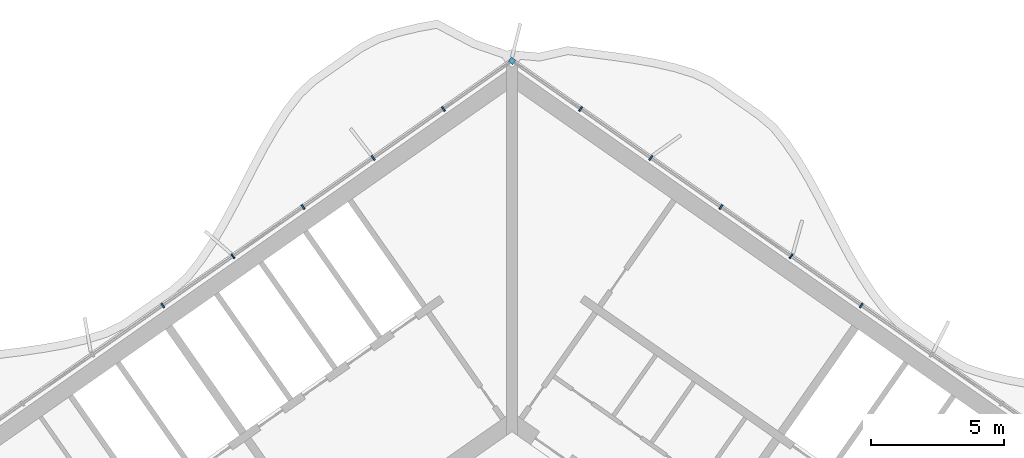
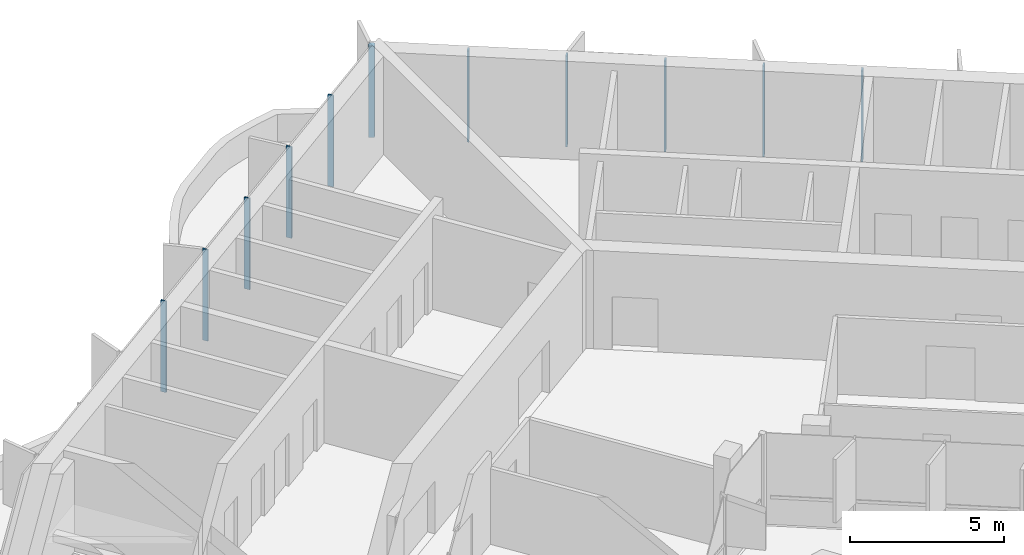
# One storey, part 7 of 20: 11 members, 1 element without a shape of its own.
"""IFC4 building model written with IfcOpenShell, lengths in metres."""

from ifc_helpers import new_model, si_unit, direction, frame, origin, origin_2d, place, context, subcontext, project, spatial, rectangle, extrude, material, material_profile, profile_set, type_object, element, aggregate, save


model = new_model("IFC4")

# Units and contexts
model_context = context("Model", 3, precision=1e-05, world=origin(), true_north=direction((0.0, 1.0)))
body_context = subcontext(model_context, "Body", "Model", "MODEL_VIEW")
ifc_project = project(units=[si_unit("LENGTHUNIT", "METRE"), si_unit("AREAUNIT", "SQUARE_METRE"), si_unit("VOLUMEUNIT", "CUBIC_METRE"), si_unit("PLANEANGLEUNIT", "RADIAN"), si_unit("MASSUNIT", "GRAM", prefix="KILO")], contexts=[model_context])

# Site, building, storey
site_placement = place(None, origin())
site = spatial("IfcSite", under=ifc_project, at=site_placement, CompositionType="ELEMENT")
building_placement = place(site_placement, origin())
building = spatial("IfcBuilding", under=site, at=building_placement, Name="Tel Ilan Convention Tower", CompositionType="ELEMENT")
storey_placement = place(building_placement, frame((0.0, 0.0, 237.10009765625)))
storey = spatial("IfcBuildingStorey", under=building, at=storey_placement, Name="L55", CompositionType="ELEMENT", Elevation=237.10009765625)

# Curtain wall, members
ifc_material_1 = material(Name="Aluminium, bronze anodised", Category="aluminium")
curtain_wall_type = type_object("IfcCurtainWallType", Name="CW2 STICK CURTAIN WALL, SPANDREL PANELS", PredefinedType="NOTDEFINED", material=ifc_material_1)
curtain_wall_placement = place(storey_placement, origin())
curtain_wall = element("IfcCurtainWall", 1, at=curtain_wall_placement, inside=storey, type_object=curtain_wall_type, Name="Curtain wall CW2-42.01", PredefinedType="NOTDEFINED")
ifc_material_2 = material(Name="Aluminium, bronze anodised", Category="aluminium")
ifc_material_profile_1 = material_profile(ifc_material_2, rectangle(XDim=0.199951171875, YDim=0.199951171875, at=origin_2d()), Name="CW CORNER MULLION 200x200")
ifc_profile_set_1 = profile_set([ifc_material_profile_1], Name="Aluminium, bronze anodised")
member_type_1 = type_object("IfcMemberType", Name="CW CORNER MULLION 200x200", PredefinedType="MULLION", material=ifc_profile_set_1)
member_1_placement = place(storey_placement, frame((0.0, 12.696044921875, 0.0), z_axis=(0.0, 0.0, 1.0), x_axis=(-0.819152044289, 0.573576436351, 0.0)))
member_1 = element("IfcMember", 2, at=member_1_placement, type_object=member_type_1, Name="Corner mullion", PredefinedType="MULLION", context=body_context, shape_type="SweptSolid", body=[
    extrude(rectangle(XDim=0.199951171875, YDim=0.199951171875, at=origin_2d()), origin(), (0.0, 0.0, 1.0), 3.619873046875),
])
ifc_material_3 = material(Name="Aluminium, bronze anodised", Category="aluminium")
ifc_material_profile_2 = material_profile(ifc_material_3, rectangle(XDim=0.06005859375, YDim=0.199951171875, at=origin_2d()), Name="CW MULLION 60x200")
ifc_profile_set_2 = profile_set([ifc_material_profile_2], Name="Aluminium, bronze anodised")
member_type_2 = type_object("IfcMemberType", Name="CW MULLION 60x200", PredefinedType="MULLION", material=ifc_profile_set_2)
member_2_placement = place(storey_placement, frame((13.105712890625, 3.519287109375, 0.0), z_axis=(0.0, 0.0, 1.0), x_axis=(-0.819152044289, 0.573576436351, 0.0)))
member_2 = element("IfcMember", 3, at=member_2_placement, type_object=member_type_2, Name="Mullion", PredefinedType="MULLION", context=body_context, shape_type="SweptSolid", body=[
    extrude(rectangle(XDim=0.06005859375, YDim=0.199951171875, at=origin_2d()), origin(), (0.0, 0.0, 1.0), 3.619873046875),
])
member_3_placement = place(storey_placement, frame((10.47314453125, 5.36279296875, 0.0), z_axis=(0.0, 0.0, 1.0), x_axis=(-0.819152044289, 0.573576436351, 0.0)))
member_3 = element("IfcMember", 4, at=member_3_placement, type_object=member_type_2, Name="Mullion", PredefinedType="MULLION", context=body_context, shape_type="SweptSolid", body=[
    extrude(rectangle(XDim=0.06005859375, YDim=0.199951171875, at=origin_2d()), origin(), (0.0, 0.0, 1.0), 3.619873046875),
])
member_4_placement = place(storey_placement, frame((7.840576171875, 7.2060546875, 0.0), z_axis=(0.0, 0.0, 1.0), x_axis=(-0.819152044289, 0.573576436351, 0.0)))
member_4 = element("IfcMember", 5, at=member_4_placement, type_object=member_type_2, Name="Mullion", PredefinedType="MULLION", context=body_context, shape_type="SweptSolid", body=[
    extrude(rectangle(XDim=0.06005859375, YDim=0.199951171875, at=origin_2d()), origin(), (0.0, 0.0, 1.0), 3.619873046875),
])
member_5_placement = place(storey_placement, frame((5.207763671875, 9.049560546875, 0.0), z_axis=(0.0, 0.0, 1.0), x_axis=(-0.819152044289, 0.573576436351, 0.0)))
member_5 = element("IfcMember", 6, at=member_5_placement, type_object=member_type_2, Name="Mullion", PredefinedType="MULLION", context=body_context, shape_type="SweptSolid", body=[
    extrude(rectangle(XDim=0.06005859375, YDim=0.199951171875, at=origin_2d()), origin(), (0.0, 0.0, 1.0), 3.619873046875),
])
member_6_placement = place(storey_placement, frame((2.5751953125, 10.892822265625, 0.0), z_axis=(0.0, 0.0, 1.0), x_axis=(-0.819152044289, 0.573576436351, 0.0)))
member_6 = element("IfcMember", 7, at=member_6_placement, type_object=member_type_2, Name="Mullion", PredefinedType="MULLION", context=body_context, shape_type="SweptSolid", body=[
    extrude(rectangle(XDim=0.06005859375, YDim=0.199951171875, at=origin_2d()), origin(), (0.0, 0.0, 1.0), 3.619873046875),
])
member_7_placement = place(storey_placement, frame((-2.5751953125, 10.892822265625, 0.0), z_axis=(0.0, 0.0, 1.0), x_axis=(-0.819152044289, -0.573576436351, 0.0)))
member_7 = element("IfcMember", 8, at=member_7_placement, type_object=member_type_2, Name="Mullion", PredefinedType="MULLION", context=body_context, shape_type="SweptSolid", body=[
    extrude(rectangle(XDim=0.06005859375, YDim=0.199951171875, at=origin_2d()), origin(), (0.0, 0.0, 1.0), 3.619873046875),
])
member_8_placement = place(storey_placement, frame((-5.207763671875, 9.049560546875, 0.0), z_axis=(0.0, 0.0, 1.0), x_axis=(-0.819152044289, -0.573576436351, 0.0)))
member_8 = element("IfcMember", 9, at=member_8_placement, type_object=member_type_2, Name="Mullion", PredefinedType="MULLION", context=body_context, shape_type="SweptSolid", body=[
    extrude(rectangle(XDim=0.06005859375, YDim=0.199951171875, at=origin_2d()), origin(), (0.0, 0.0, 1.0), 3.619873046875),
])
member_9_placement = place(storey_placement, frame((-7.840576171875, 7.2060546875, 0.0), z_axis=(0.0, 0.0, 1.0), x_axis=(-0.819152044289, -0.573576436351, 0.0)))
member_9 = element("IfcMember", 10, at=member_9_placement, type_object=member_type_2, Name="Mullion", PredefinedType="MULLION", context=body_context, shape_type="SweptSolid", body=[
    extrude(rectangle(XDim=0.06005859375, YDim=0.199951171875, at=origin_2d()), origin(), (0.0, 0.0, 1.0), 3.619873046875),
])
member_10_placement = place(storey_placement, frame((-10.47314453125, 5.36279296875, 0.0), z_axis=(0.0, 0.0, 1.0), x_axis=(-0.819152044289, -0.573576436351, 0.0)))
member_10 = element("IfcMember", 11, at=member_10_placement, type_object=member_type_2, Name="Mullion", PredefinedType="MULLION", context=body_context, shape_type="SweptSolid", body=[
    extrude(rectangle(XDim=0.06005859375, YDim=0.199951171875, at=origin_2d()), origin(), (0.0, 0.0, 1.0), 3.619873046875),
])
member_11_placement = place(storey_placement, frame((-13.105712890625, 3.519287109375, 0.0), z_axis=(0.0, 0.0, 1.0), x_axis=(-0.819152044289, -0.573576436351, 0.0)))
member_11 = element("IfcMember", 12, at=member_11_placement, type_object=member_type_2, Name="Mullion", PredefinedType="MULLION", context=body_context, shape_type="SweptSolid", body=[
    extrude(rectangle(XDim=0.06005859375, YDim=0.199951171875, at=origin_2d()), origin(), (0.0, 0.0, 1.0), 3.619873046875),
])
aggregate(curtain_wall, [member_2, member_3, member_4, member_5, member_6, member_1, member_7, member_8, member_9, member_10, member_11])

save(model, "model.ifc")
